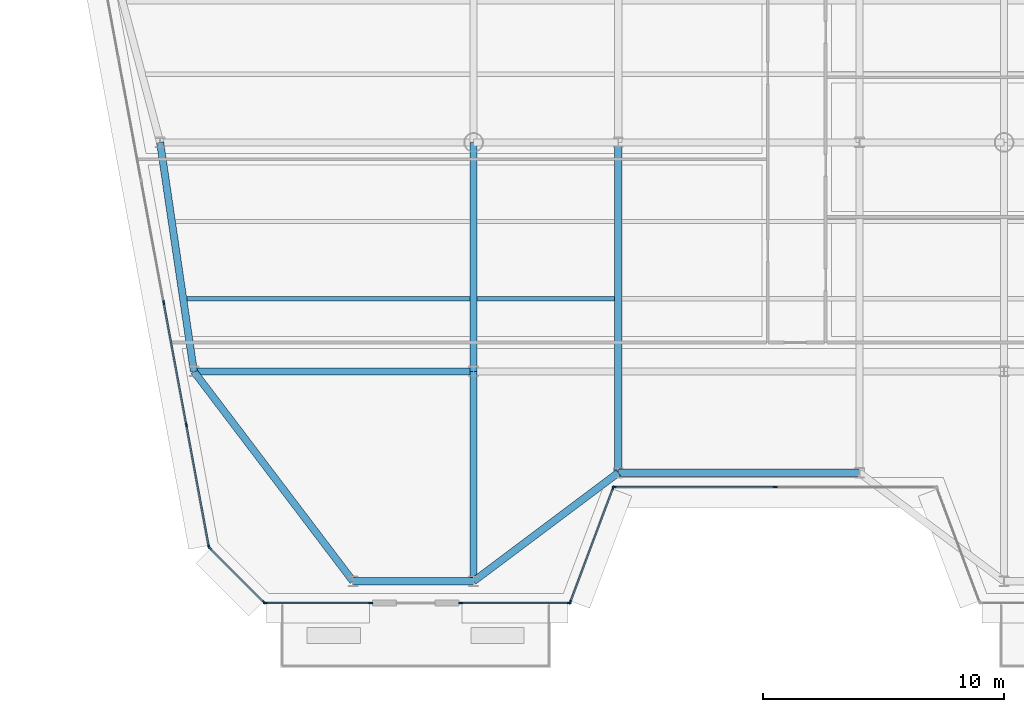
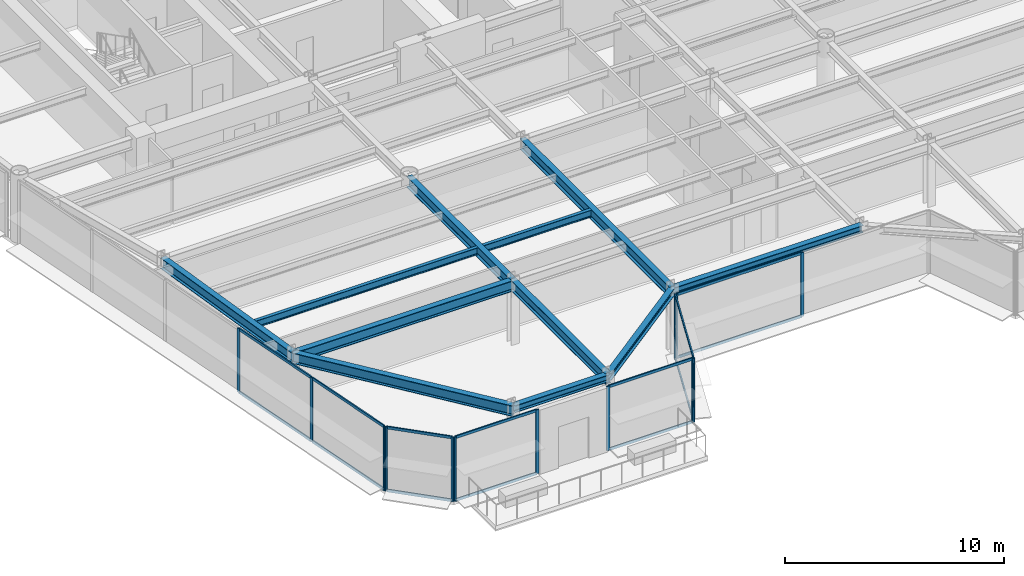
# One storey, part 2 of 16: 27 members, 11 beams, 6 elements without a shape of their own.
"""IFC4 building model written with IfcOpenShell, lengths in metres."""

from ifc_helpers import new_model, si_unit, direction, frame, origin, origin_2d, place, context, subcontext, project, spatial, rectangle, i_section, extrude, source, transform, mapped, material, layer, layer_set, material_profile, profile_set, type_object, element, aggregate, save


model = new_model("IFC4")

# Units and contexts
model_context = context("Model", 3, precision=1e-05, world=origin(), true_north=direction((0.0, 1.0)))
body_context = subcontext(model_context, "Body", "Model", "MODEL_VIEW")
ifc_project = project(units=[si_unit("LENGTHUNIT", "METRE"), si_unit("AREAUNIT", "SQUARE_METRE"), si_unit("VOLUMEUNIT", "CUBIC_METRE"), si_unit("PLANEANGLEUNIT", "RADIAN"), si_unit("MASSUNIT", "GRAM", prefix="KILO")], contexts=[model_context])

# Site, building, storey
site_placement = place(None, origin())
site = spatial("IfcSite", under=ifc_project, at=site_placement, CompositionType="ELEMENT")
building_placement = place(site_placement, origin())
building = spatial("IfcBuilding", under=site, at=building_placement, Name="Vaeldorn Concourse Tower", CompositionType="ELEMENT")
storey_placement = place(building_placement, frame((0.0, 0.0, 207.0)))
storey = spatial("IfcBuildingStorey", under=building, at=storey_placement, Name="L53", CompositionType="ELEMENT", Elevation=207.0)

# Beams
ifc_material_1 = material(Name="Steel S355", Category="steel")
ifc_material_profile_1 = material_profile(ifc_material_1, i_section(OverallWidth=0.300048828125, OverallDepth=0.60009765625, WebThickness=0.015380859375, FlangeThickness=0.030029296875, FilletRadius=0.027099609375, at=origin_2d()), Name="HEB 600")
ifc_profile_set_1 = profile_set([ifc_material_profile_1], Name="Steel S355")
beam_type_1 = type_object("IfcBeamType", Name="BM-PG-HEB600", PredefinedType="BEAM", material=ifc_profile_set_1)
shared_shape_1 = source(origin(), body_context, "Body", "SweptSolid", [
    extrude(i_section(OverallWidth=0.300048828125, OverallDepth=0.60009765625, WebThickness=0.015380859375, FlangeThickness=0.030029296875, FilletRadius=0.027099609375, at=origin_2d()), origin(), (0.0, 0.0, 1.0), 9.6025390625),
])
beam_1_placement = place(storey_placement, frame((10.0, 27.5, 3.280029296875), z_axis=(0.145783835977, -0.989316467652, 0.0), x_axis=(0.989316467652, 0.145783835977, 0.0)))
element("IfcBeam", 1, at=beam_1_placement, inside=storey, type_object=beam_type_1, Name="Beam BM-L53-C-FLW1-C-FLW2", PredefinedType="BEAM", context=body_context, shape_type="MappedRepresentation", body=[
    mapped(shared_shape_1, transform((0.0, 0.0, 0.0), scale=1.0)),
])
shared_shape_2 = source(origin(), body_context, "Body", "SweptSolid", [
    extrude(i_section(OverallWidth=0.300048828125, OverallDepth=0.60009765625, WebThickness=0.015380859375, FlangeThickness=0.030029296875, FilletRadius=0.027099609375, at=origin_2d()), origin(), (0.0, 0.0, 1.0), 11.60009765625),
])
beam_2_placement = place(storey_placement, frame((11.39990234375, 18.0, 3.280029296875), z_axis=(1.0, 0.0, 0.0), x_axis=(0.0, 1.0, 0.0)))
element("IfcBeam", 2, at=beam_2_placement, inside=storey, type_object=beam_type_1, Name="Beam BM-L53-C-FLW2-C-TW5", PredefinedType="BEAM", context=body_context, shape_type="MappedRepresentation", body=[
    mapped(shared_shape_2, transform((0.0, 0.0, 0.0), scale=1.0)),
])
shared_shape_3 = source(origin(), body_context, "Body", "SweptSolid", [
    extrude(i_section(OverallWidth=0.300048828125, OverallDepth=0.60009765625, WebThickness=0.015380859375, FlangeThickness=0.030029296875, FilletRadius=0.027099609375, at=origin_2d()), origin(), (0.0, 0.0, 1.0), 9.5),
])
beam_3_placement = place(storey_placement, frame((23.0, 18.0, 3.280029296875), z_axis=(0.0, 1.0, 0.0), x_axis=(-1.0, 0.0, 0.0)))
element("IfcBeam", 3, at=beam_3_placement, inside=storey, type_object=beam_type_1, Name="Beam BM-L53-C-TW5-C-TW1", PredefinedType="BEAM", context=body_context, shape_type="MappedRepresentation", body=[
    mapped(shared_shape_3, transform((0.0, 0.0, 0.0), scale=1.0)),
])
ifc_material_profile_2 = material_profile(ifc_material_1, i_section(OverallWidth=0.300048828125, OverallDepth=0.39990234375, WebThickness=0.013427734375, FlangeThickness=0.02392578125, FilletRadius=0.027099609375, at=origin_2d()), Name="HEB 400")
ifc_profile_set_2 = profile_set([ifc_material_profile_2], Name="Steel S355")
beam_type_2 = type_object("IfcBeamType", Name="BM-SP-HEB400", PredefinedType="SPANDREL", material=ifc_profile_set_2)
shared_shape_4 = source(origin(), body_context, "Body", "SweptSolid", [
    extrude(i_section(OverallWidth=0.300048828125, OverallDepth=0.39990234375, WebThickness=0.013427734375, FlangeThickness=0.02392578125, FilletRadius=0.027099609375, at=origin_2d()), origin(), (0.0, 0.0, 1.0), 5.0),
])
beam_4_placement = place(storey_placement, frame((18.0, 9.300048828125, 3.3798828125), z_axis=(1.0, 0.0, 0.0), x_axis=(0.0, 1.0, 0.0)))
element("IfcBeam", 4, at=beam_4_placement, inside=storey, type_object=beam_type_2, Name="Beam BM-L53-C-SF1-C-SF2", PredefinedType="SPANDREL", context=body_context, shape_type="MappedRepresentation", body=[
    mapped(shared_shape_4, transform((0.0, 0.0, 0.0), scale=1.0)),
])
shared_shape_5 = source(origin(), body_context, "Body", "SweptSolid", [
    extrude(i_section(OverallWidth=0.300048828125, OverallDepth=0.39990234375, WebThickness=0.013427734375, FlangeThickness=0.02392578125, FilletRadius=0.027099609375, at=origin_2d()), origin(), (0.0, 0.0, 1.0), 7.5),
])
beam_5_placement = place(storey_placement, frame((23.0, 9.300048828125, 3.3798828125), z_axis=(0.8, 0.6, 0.0), x_axis=(-0.6, 0.8, 0.0)))
element("IfcBeam", 5, at=beam_5_placement, inside=storey, type_object=beam_type_2, Name="Beam BM-L53-C-SF2-C-SF3", PredefinedType="SPANDREL", context=body_context, shape_type="MappedRepresentation", body=[
    mapped(shared_shape_5, transform((0.0, 0.0, 0.0), scale=1.0)),
])
shared_shape_6 = source(origin(), body_context, "Body", "SweptSolid", [
    extrude(i_section(OverallWidth=0.300048828125, OverallDepth=0.39990234375, WebThickness=0.013427734375, FlangeThickness=0.02392578125, FilletRadius=0.027099609375, at=origin_2d()), origin(), (0.0, 0.0, 1.0), 10.0),
])
beam_6_placement = place(storey_placement, frame((29.0, 13.800048828125, 3.3798828125), z_axis=(1.0, 0.0, 0.0), x_axis=(0.0, 1.0, 0.0)))
element("IfcBeam", 6, at=beam_6_placement, inside=storey, type_object=beam_type_2, Name="Beam BM-L53-C-SF3-C-SF4", PredefinedType="SPANDREL", context=body_context, shape_type="MappedRepresentation", body=[
    mapped(shared_shape_6, transform((0.0, 0.0, 0.0), scale=1.0)),
])
ifc_material_profile_3 = material_profile(ifc_material_1, i_section(OverallWidth=0.179931640625, OverallDepth=0.39990234375, WebThickness=0.008544921875, FlangeThickness=0.013427734375, FilletRadius=0.02099609375, at=origin_2d()), Name="IPE 400")
ifc_profile_set_3 = profile_set([ifc_material_profile_3], Name="Steel S355")
beam_type_3 = type_object("IfcBeamType", Name="BM-JS-IPE400", PredefinedType="JOIST", material=ifc_profile_set_3)
shared_shape_7 = source(origin(), body_context, "Body", "SweptSolid", [
    extrude(i_section(OverallWidth=0.179931640625, OverallDepth=0.39990234375, WebThickness=0.008544921875, FlangeThickness=0.013427734375, FilletRadius=0.02099609375, at=origin_2d()), origin(), (0.0, 0.0, 1.0), 5.7001953125),
])
beam_7_placement = place(storey_placement, frame((23.14990234375, 21.02001953125, 3.3798828125), z_axis=(1.0, 0.0, 0.0), x_axis=(0.0, 1.0, 0.0)))
element("IfcBeam", 7, at=beam_7_placement, inside=storey, type_object=beam_type_3, Name="Beam JS-L53-W2-210", PredefinedType="JOIST", context=body_context, shape_type="MappedRepresentation", body=[
    mapped(shared_shape_7, transform((0.0, 0.0, 0.0), scale=1.0)),
])
shared_shape_8 = source(origin(), body_context, "Body", "SweptSolid", [
    extrude(i_section(OverallWidth=0.300048828125, OverallDepth=0.60009765625, WebThickness=0.015380859375, FlangeThickness=0.030029296875, FilletRadius=0.027099609375, at=origin_2d()), origin(), (0.0, 0.0, 1.0), 10.920166015625),
])
beam_8_placement = place(storey_placement, frame((18.0, 9.300048828125, 3.280029296875), z_axis=(-0.604394310451, 0.796685331542, 0.0), x_axis=(-0.796685331542, -0.604394310451, 0.0)))
element("IfcBeam", 8, at=beam_8_placement, inside=storey, type_object=beam_type_1, Name="Beam BM-L53-C-SF1-C-FLW2", PredefinedType="BEAM", context=body_context, shape_type="MappedRepresentation", body=[
    mapped(shared_shape_8, transform((0.0, 0.0, 0.0), scale=1.0)),
])
shared_shape_9 = source(origin(), body_context, "Body", "SweptSolid", [
    extrude(i_section(OverallWidth=0.300048828125, OverallDepth=0.60009765625, WebThickness=0.015380859375, FlangeThickness=0.030029296875, FilletRadius=0.027099609375, at=origin_2d()), origin(), (0.0, 0.0, 1.0), 8.699951171875),
])
beam_9_placement = place(storey_placement, frame((23.0, 9.300048828125, 3.280029296875), z_axis=(0.0, 1.0, 0.0), x_axis=(-1.0, 0.0, 0.0)))
element("IfcBeam", 9, at=beam_9_placement, inside=storey, type_object=beam_type_1, Name="Beam BM-L53-C-SF2-C-TW5", PredefinedType="BEAM", context=body_context, shape_type="MappedRepresentation", body=[
    mapped(shared_shape_9, transform((0.0, 0.0, 0.0), scale=1.0)),
])
shared_shape_10 = source(origin(), body_context, "Body", "SweptSolid", [
    extrude(i_section(OverallWidth=0.300048828125, OverallDepth=0.60009765625, WebThickness=0.015380859375, FlangeThickness=0.030029296875, FilletRadius=0.027099609375, at=origin_2d()), origin(), (0.0, 0.0, 1.0), 13.699951171875),
])
beam_10_placement = place(storey_placement, frame((29.0, 13.800048828125, 3.280029296875), z_axis=(0.0, 1.0, 0.0), x_axis=(-1.0, 0.0, 0.0)))
element("IfcBeam", 10, at=beam_10_placement, inside=storey, type_object=beam_type_1, Name="Beam BM-L53-C-SF3-C-TW2", PredefinedType="BEAM", context=body_context, shape_type="MappedRepresentation", body=[
    mapped(shared_shape_10, transform((0.0, 0.0, 0.0), scale=1.0)),
])
shared_shape_11 = source(origin(), body_context, "Body", "SweptSolid", [
    extrude(i_section(OverallWidth=0.179931640625, OverallDepth=0.39990234375, WebThickness=0.008544921875, FlangeThickness=0.013427734375, FilletRadius=0.02099609375, at=origin_2d()), origin(), (0.0, 0.0, 1.0), 11.7451171875),
])
beam_11_placement = place(storey_placement, frame((11.10498046875, 21.02001953125, 3.3798828125), z_axis=(1.0, 0.0, 0.0), x_axis=(0.0, 1.0, 0.0)))
element("IfcBeam", 11, at=beam_11_placement, inside=storey, type_object=beam_type_3, Name="Beam JS-L53-W1-210", PredefinedType="JOIST", context=body_context, shape_type="MappedRepresentation", body=[
    mapped(shared_shape_11, transform((0.0, 0.0, 0.0), scale=1.0)),
])

# Curtain wall, members
ifc_material_2 = material(Name="Anodised Bronze Aluminium", Category="aluminium")
ifc_layer = layer(ifc_material_2, 0.2099609375)
ifc_layer_set = layer_set([ifc_layer], Name="Anodised Bronze Aluminium")
curtain_wall_type = type_object("IfcCurtainWallType", Name="CW-SYS-06", PredefinedType="NOTDEFINED", material=ifc_layer_set)
curtain_wall_1_placement = place(storey_placement, origin())
curtain_wall_1 = element("IfcCurtainWall", 12, at=curtain_wall_1_placement, inside=storey, type_object=curtain_wall_type, Name="Unitised Curtain Wall CW-L53-E02-1", PredefinedType="NOTDEFINED")
ifc_material_profile_4 = material_profile(ifc_material_2, rectangle(XDim=0.06494140625, YDim=0.14990234375, at=origin_2d()), Name="CWT 65x150")
ifc_profile_set_4 = profile_set([ifc_material_profile_4], Name="Anodised Bronze Aluminium")
member_type_1 = type_object("IfcMemberType", Name="CWT-BRONZE-150", PredefinedType="USERDEFINED", material=ifc_profile_set_4)
shared_shape_12 = source(origin(), body_context, "Body", "SweptSolid", [
    extrude(rectangle(XDim=0.06494140625, YDim=0.14990234375, at=origin_2d()), origin(), (0.0, 0.0, 1.0), 4.996337890625),
])
member_1_placement = place(storey_placement, frame((27.022705078125, 8.4609375, 0.032470703125), z_axis=(0.351134151405, 0.936325161318, 0.0), x_axis=(-0.936325161318, 0.351134151405, 0.0)))
member_1 = element("IfcMember", 13, at=member_1_placement, type_object=member_type_1, Name="CW-06 transom 1.1", ObjectType="TRANSOM", PredefinedType="USERDEFINED", context=body_context, shape_type="MappedRepresentation", body=[
    mapped(shared_shape_12, transform((0.0, 0.0, 0.0), scale=1.0)),
])
member_2_placement = place(storey_placement, frame((27.022705078125, 8.4609375, 3.547607421875), z_axis=(0.351134151405, 0.936325161318, 0.0), x_axis=(-0.936325161318, 0.351134151405, 0.0)))
member_2 = element("IfcMember", 14, at=member_2_placement, type_object=member_type_1, Name="CW-06 transom 1.2", ObjectType="TRANSOM", PredefinedType="USERDEFINED", context=body_context, shape_type="MappedRepresentation", body=[
    mapped(shared_shape_12, transform((0.0, 0.0, 0.0), scale=1.0)),
])

curtain_wall_2_placement = place(storey_placement, origin())
curtain_wall_2 = element("IfcCurtainWall", 15, at=curtain_wall_2_placement, inside=storey, type_object=curtain_wall_type, Name="Unitised Curtain Wall CW-L53-E03-1", PredefinedType="NOTDEFINED")
shared_shape_13 = source(origin(), body_context, "Body", "SweptSolid", [
    extrude(rectangle(XDim=0.06494140625, YDim=0.14990234375, at=origin_2d()), origin(), (0.0, 0.0, 1.0), 6.6025390625),
])
member_3_placement = place(storey_placement, frame((28.864990234375, 13.199951171875, 0.032470703125), z_axis=(1.0, 0.0, 0.0), x_axis=(0.0, 1.0, 0.0)))
member_3 = element("IfcMember", 16, at=member_3_placement, type_object=member_type_1, Name="CW-06 transom 1.1", ObjectType="TRANSOM", PredefinedType="USERDEFINED", context=body_context, shape_type="MappedRepresentation", body=[
    mapped(shared_shape_13, transform((0.0, 0.0, 0.0), scale=1.0)),
])
member_4_placement = place(storey_placement, frame((28.864990234375, 13.199951171875, 3.547607421875), z_axis=(1.0, 0.0, 0.0), x_axis=(0.0, 1.0, 0.0)))
member_4 = element("IfcMember", 17, at=member_4_placement, type_object=member_type_1, Name="CW-06 transom 1.2", ObjectType="TRANSOM", PredefinedType="USERDEFINED", context=body_context, shape_type="MappedRepresentation", body=[
    mapped(shared_shape_13, transform((0.0, 0.0, 0.0), scale=1.0)),
])

curtain_wall_3_placement = place(storey_placement, origin())
curtain_wall_3 = element("IfcCurtainWall", 18, at=curtain_wall_3_placement, inside=storey, type_object=curtain_wall_type, Name="Unitised Curtain Wall CW-L53-E12-1", PredefinedType="NOTDEFINED")
shared_shape_14 = source(origin(), body_context, "Body", "SweptSolid", [
    extrude(rectangle(XDim=0.06494140625, YDim=0.14990234375, at=origin_2d()), origin(), (0.0, 0.0, 1.0), 3.12255859375),
])
member_5_placement = place(storey_placement, frame((12.074951171875, 10.654052734375, 0.032470703125), z_axis=(0.707106781187, -0.707106781187, 0.0), x_axis=(0.707106781187, 0.707106781187, 0.0)))
member_5 = element("IfcMember", 19, at=member_5_placement, type_object=member_type_1, Name="CW-06 transom 1.1", ObjectType="TRANSOM", PredefinedType="USERDEFINED", context=body_context, shape_type="MappedRepresentation", body=[
    mapped(shared_shape_14, transform((0.0, 0.0, 0.0), scale=1.0)),
])
member_6_placement = place(storey_placement, frame((12.074951171875, 10.654052734375, 3.547607421875), z_axis=(0.707106781187, -0.707106781187, 0.0), x_axis=(0.707106781187, 0.707106781187, 0.0)))
member_6 = element("IfcMember", 20, at=member_6_placement, type_object=member_type_1, Name="CW-06 transom 1.2", ObjectType="TRANSOM", PredefinedType="USERDEFINED", context=body_context, shape_type="MappedRepresentation", body=[
    mapped(shared_shape_14, transform((0.0, 0.0, 0.0), scale=1.0)),
])

curtain_wall_4_placement = place(storey_placement, origin())
curtain_wall_4 = element("IfcCurtainWall", 21, at=curtain_wall_4_placement, inside=storey, type_object=curtain_wall_type, Name="Unitised Curtain Wall CW-L53-E01-1", PredefinedType="NOTDEFINED")
ifc_material_profile_5 = material_profile(ifc_material_2, rectangle(XDim=0.06494140625, YDim=0.169921875, at=origin_2d()), Name="CWM 65x170")
ifc_profile_set_5 = profile_set([ifc_material_profile_5], Name="Anodised Bronze Aluminium")
member_type_2 = type_object("IfcMemberType", Name="CWM-BRONZE-170", PredefinedType="MULLION", material=ifc_profile_set_5)
shared_shape_15 = source(origin(), body_context, "Body", "SweptSolid", [
    extrude(rectangle(XDim=0.06494140625, YDim=0.169921875, at=origin_2d()), origin(), (0.0, 0.0, 1.0), 3.580078125),
])
member_7_placement = place(storey_placement, frame((14.361572265625, 8.39990234375, 0.0), z_axis=(0.0, 0.0, 1.0), x_axis=(0.0, 1.0, 0.0)))
member_7 = element("IfcMember", 22, at=member_7_placement, type_object=member_type_2, Name="CW-06 mullion 1", PredefinedType="MULLION", context=body_context, shape_type="MappedRepresentation", body=[
    mapped(shared_shape_15, transform((0.0, 0.0, 0.0), scale=1.0)),
])
member_8_placement = place(storey_placement, frame((18.7275390625, 8.39990234375, 0.0), z_axis=(0.0, 0.0, 1.0), x_axis=(0.0, 1.0, 0.0)))
member_8 = element("IfcMember", 23, at=member_8_placement, type_object=member_type_2, Name="CW-06 mullion 2", PredefinedType="MULLION", context=body_context, shape_type="MappedRepresentation", body=[
    mapped(shared_shape_15, transform((0.0, 0.0, 0.0), scale=1.0)),
])

curtain_wall_5_placement = place(storey_placement, origin())
curtain_wall_5 = element("IfcCurtainWall", 24, at=curtain_wall_5_placement, inside=storey, type_object=curtain_wall_type, Name="Unitised Curtain Wall CW-L53-E01-2", PredefinedType="NOTDEFINED")
member_9_placement = place(storey_placement, frame((22.472412109375, 8.39990234375, 0.0), z_axis=(0.0, 0.0, 1.0), x_axis=(0.0, 1.0, 0.0)))
member_9 = element("IfcMember", 25, at=member_9_placement, type_object=member_type_2, Name="CW-06 mullion 1", PredefinedType="MULLION", context=body_context, shape_type="MappedRepresentation", body=[
    mapped(shared_shape_15, transform((0.0, 0.0, 0.0), scale=1.0)),
])
member_10_placement = place(storey_placement, frame((26.967529296875, 8.39990234375, 0.0), z_axis=(0.0, 0.0, 1.0), x_axis=(0.0, 1.0, 0.0)))
member_10 = element("IfcMember", 26, at=member_10_placement, type_object=member_type_2, Name="CW-06 mullion 2", PredefinedType="MULLION", context=body_context, shape_type="MappedRepresentation", body=[
    mapped(shared_shape_15, transform((0.0, 0.0, 0.0), scale=1.0)),
])

# Member
member_11_placement = place(storey_placement, frame((27.011474609375, 8.430419921875, 0.0), z_axis=(0.0, 0.0, 1.0), x_axis=(-0.936329177566, 0.351123441595, 0.0)))
member_11 = element("IfcMember", 27, at=member_11_placement, type_object=member_type_2, Name="CW-06 mullion 1", PredefinedType="MULLION", context=body_context, shape_type="MappedRepresentation", body=[
    mapped(shared_shape_15, transform((0.0, 0.0, 0.0), scale=1.0)),
])

member_12_placement = place(storey_placement, frame((28.78857421875, 13.169677734375, 0.0), z_axis=(0.0, 0.0, 1.0), x_axis=(-0.936329177566, 0.351123441595, 0.0)))
member_12 = element("IfcMember", 28, at=member_12_placement, type_object=member_type_2, Name="CW-06 mullion 2", PredefinedType="MULLION", context=body_context, shape_type="MappedRepresentation", body=[
    mapped(shared_shape_15, transform((0.0, 0.0, 0.0), scale=1.0)),
])

aggregate(curtain_wall_1, [member_11, member_12, member_1, member_2])

member_13_placement = place(storey_placement, frame((28.83251953125, 13.199951171875, 0.0), z_axis=(0.0, 0.0, 1.0), x_axis=(0.0, 1.0, 0.0)))
member_13 = element("IfcMember", 29, at=member_13_placement, type_object=member_type_2, Name="CW-06 mullion 1", PredefinedType="MULLION", context=body_context, shape_type="MappedRepresentation", body=[
    mapped(shared_shape_15, transform((0.0, 0.0, 0.0), scale=1.0)),
])

member_14_placement = place(storey_placement, frame((35.5, 13.199951171875, 0.0), z_axis=(0.0, 0.0, 1.0), x_axis=(0.0, 1.0, 0.0)))
member_14 = element("IfcMember", 30, at=member_14_placement, type_object=member_type_2, Name="CW-06 mullion 2", PredefinedType="MULLION", context=body_context, shape_type="MappedRepresentation", body=[
    mapped(shared_shape_15, transform((0.0, 0.0, 0.0), scale=1.0)),
])

aggregate(curtain_wall_2, [member_13, member_14, member_3, member_4])

# Curtain wall, members
curtain_wall_6_placement = place(storey_placement, origin())
curtain_wall_6 = element("IfcCurtainWall", 31, at=curtain_wall_6_placement, inside=storey, type_object=curtain_wall_type, Name="Unitised Curtain Wall CW-L53-E11-2", PredefinedType="NOTDEFINED")
member_15_placement = place(storey_placement, frame((10.15087890625, 20.853515625, 0.0), z_axis=(0.0, 0.0, 1.0), x_axis=(0.983319079021, 0.181888946432, 0.0)))
member_15 = element("IfcMember", 32, at=member_15_placement, type_object=member_type_2, Name="CW-06 mullion 4", PredefinedType="MULLION", context=body_context, shape_type="MappedRepresentation", body=[
    mapped(shared_shape_15, transform((0.0, 0.0, 0.0), scale=1.0)),
])
member_16_placement = place(storey_placement, frame((11.08984375, 15.776611328125, 0.0), z_axis=(0.0, 0.0, 1.0), x_axis=(0.983319079021, 0.181888946432, 0.0)))
member_16 = element("IfcMember", 33, at=member_16_placement, type_object=member_type_2, Name="CW-06 mullion 5", PredefinedType="MULLION", context=body_context, shape_type="MappedRepresentation", body=[
    mapped(shared_shape_15, transform((0.0, 0.0, 0.0), scale=1.0)),
])
member_17_placement = place(storey_placement, frame((12.023193359375, 10.73193359375, 0.0), z_axis=(0.0, 0.0, 1.0), x_axis=(0.983319079021, 0.181888946432, 0.0)))
member_17 = element("IfcMember", 34, at=member_17_placement, type_object=member_type_2, Name="CW-06 mullion 6", PredefinedType="MULLION", context=body_context, shape_type="MappedRepresentation", body=[
    mapped(shared_shape_15, transform((0.0, 0.0, 0.0), scale=1.0)),
])

# Member
member_18_placement = place(storey_placement, frame((12.052001953125, 10.677001953125, 0.0), z_axis=(0.0, 0.0, 1.0), x_axis=(0.707106781187, 0.707106781187, 0.0)))
member_18 = element("IfcMember", 35, at=member_18_placement, type_object=member_type_2, Name="CW-06 mullion 1", PredefinedType="MULLION", context=body_context, shape_type="MappedRepresentation", body=[
    mapped(shared_shape_15, transform((0.0, 0.0, 0.0), scale=1.0)),
])

member_19_placement = place(storey_placement, frame((14.305908203125, 8.423095703125, 0.0), z_axis=(0.0, 0.0, 1.0), x_axis=(0.707106781187, 0.707106781187, 0.0)))
member_19 = element("IfcMember", 36, at=member_19_placement, type_object=member_type_2, Name="CW-06 mullion 2", PredefinedType="MULLION", context=body_context, shape_type="MappedRepresentation", body=[
    mapped(shared_shape_15, transform((0.0, 0.0, 0.0), scale=1.0)),
])

aggregate(curtain_wall_3, [member_18, member_19, member_5, member_6])

shared_shape_16 = source(origin(), body_context, "Body", "SweptSolid", [
    extrude(rectangle(XDim=0.06494140625, YDim=0.14990234375, at=origin_2d()), origin(), (0.0, 0.0, 1.0), 4.301025390625),
])
member_20_placement = place(storey_placement, frame((14.39404296875, 8.39990234375, 0.032470703125), z_axis=(1.0, 0.0, 0.0), x_axis=(0.0, 1.0, 0.0)))
member_20 = element("IfcMember", 37, at=member_20_placement, type_object=member_type_1, Name="CW-06 transom 1.1", ObjectType="TRANSOM", PredefinedType="USERDEFINED", context=body_context, shape_type="MappedRepresentation", body=[
    mapped(shared_shape_16, transform((0.0, 0.0, 0.0), scale=1.0)),
])

member_21_placement = place(storey_placement, frame((14.39404296875, 8.39990234375, 3.547607421875), z_axis=(1.0, 0.0, 0.0), x_axis=(0.0, 1.0, 0.0)))
member_21 = element("IfcMember", 38, at=member_21_placement, type_object=member_type_1, Name="CW-06 transom 1.2", ObjectType="TRANSOM", PredefinedType="USERDEFINED", context=body_context, shape_type="MappedRepresentation", body=[
    mapped(shared_shape_16, transform((0.0, 0.0, 0.0), scale=1.0)),
])

aggregate(curtain_wall_4, [member_7, member_8, member_20, member_21])

shared_shape_17 = source(origin(), body_context, "Body", "SweptSolid", [
    extrude(rectangle(XDim=0.06494140625, YDim=0.14990234375, at=origin_2d()), origin(), (0.0, 0.0, 1.0), 4.43017578125),
])
member_22_placement = place(storey_placement, frame((22.5048828125, 8.39990234375, 0.032470703125), z_axis=(1.0, 0.0, 0.0), x_axis=(0.0, 1.0, 0.0)))
member_22 = element("IfcMember", 39, at=member_22_placement, type_object=member_type_1, Name="CW-06 transom 1.1", ObjectType="TRANSOM", PredefinedType="USERDEFINED", context=body_context, shape_type="MappedRepresentation", body=[
    mapped(shared_shape_17, transform((0.0, 0.0, 0.0), scale=1.0)),
])

member_23_placement = place(storey_placement, frame((22.5048828125, 8.39990234375, 3.547607421875), z_axis=(1.0, 0.0, 0.0), x_axis=(0.0, 1.0, 0.0)))
member_23 = element("IfcMember", 40, at=member_23_placement, type_object=member_type_1, Name="CW-06 transom 1.2", ObjectType="TRANSOM", PredefinedType="USERDEFINED", context=body_context, shape_type="MappedRepresentation", body=[
    mapped(shared_shape_17, transform((0.0, 0.0, 0.0), scale=1.0)),
])

aggregate(curtain_wall_5, [member_9, member_10, member_22, member_23])

shared_shape_18 = source(origin(), body_context, "Body", "SweptSolid", [
    extrude(rectangle(XDim=0.06494140625, YDim=0.14990234375, at=origin_2d()), origin(), (0.0, 0.0, 1.0), 5.065185546875),
])
member_24_placement = place(storey_placement, frame((11.095947265625, 15.74462890625, 0.032470703125), z_axis=(0.181857972654, -0.983324807875, 0.0), x_axis=(0.983324807875, 0.181857972654, 0.0)))
member_24 = element("IfcMember", 41, at=member_24_placement, type_object=member_type_1, Name="CW-06 transom 5.1", ObjectType="TRANSOM", PredefinedType="USERDEFINED", context=body_context, shape_type="MappedRepresentation", body=[
    mapped(shared_shape_18, transform((0.0, 0.0, 0.0), scale=1.0)),
])

member_25_placement = place(storey_placement, frame((11.095947265625, 15.74462890625, 3.547607421875), z_axis=(0.181857972654, -0.983324807875, 0.0), x_axis=(0.983324807875, 0.181857972654, 0.0)))
member_25 = element("IfcMember", 42, at=member_25_placement, type_object=member_type_1, Name="CW-06 transom 5.2", ObjectType="TRANSOM", PredefinedType="USERDEFINED", context=body_context, shape_type="MappedRepresentation", body=[
    mapped(shared_shape_18, transform((0.0, 0.0, 0.0), scale=1.0)),
])

shared_shape_19 = source(origin(), body_context, "Body", "SweptSolid", [
    extrude(rectangle(XDim=0.06494140625, YDim=0.14990234375, at=origin_2d()), origin(), (0.0, 0.0, 1.0), 5.097900390625),
])
member_26_placement = place(storey_placement, frame((10.15673828125, 20.821533203125, 0.032470703125), z_axis=(0.181885185048, -0.983319774773, 0.0), x_axis=(0.983319774773, 0.181885185048, 0.0)))
member_26 = element("IfcMember", 43, at=member_26_placement, type_object=member_type_1, Name="CW-06 transom 4.1", ObjectType="TRANSOM", PredefinedType="USERDEFINED", context=body_context, shape_type="MappedRepresentation", body=[
    mapped(shared_shape_19, transform((0.0, 0.0, 0.0), scale=1.0)),
])

member_27_placement = place(storey_placement, frame((10.15673828125, 20.821533203125, 3.547607421875), z_axis=(0.181885185048, -0.983319774773, 0.0), x_axis=(0.983319774773, 0.181885185048, 0.0)))
member_27 = element("IfcMember", 44, at=member_27_placement, type_object=member_type_1, Name="CW-06 transom 4.2", ObjectType="TRANSOM", PredefinedType="USERDEFINED", context=body_context, shape_type="MappedRepresentation", body=[
    mapped(shared_shape_19, transform((0.0, 0.0, 0.0), scale=1.0)),
])

aggregate(curtain_wall_6, [member_15, member_16, member_17, member_26, member_27, member_24, member_25])

save(model, "model.ifc")
